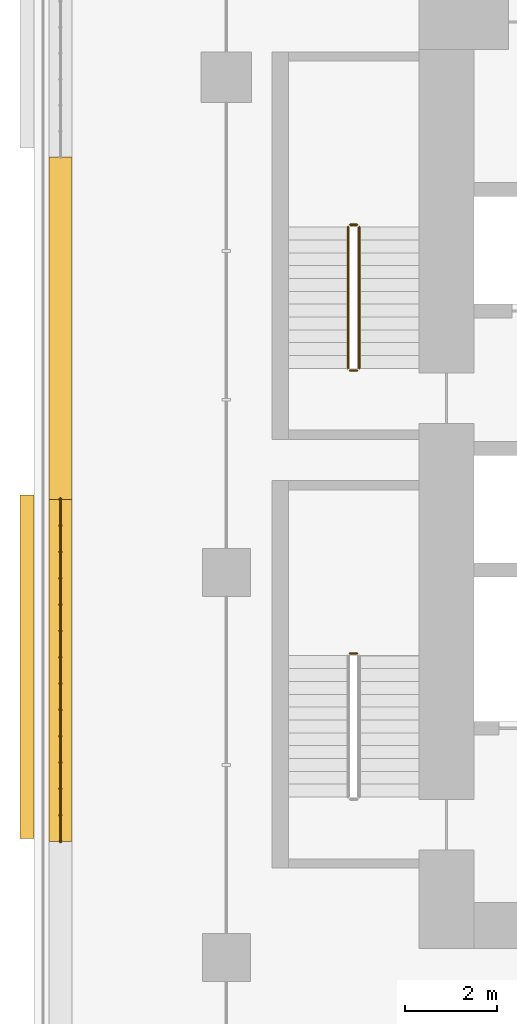
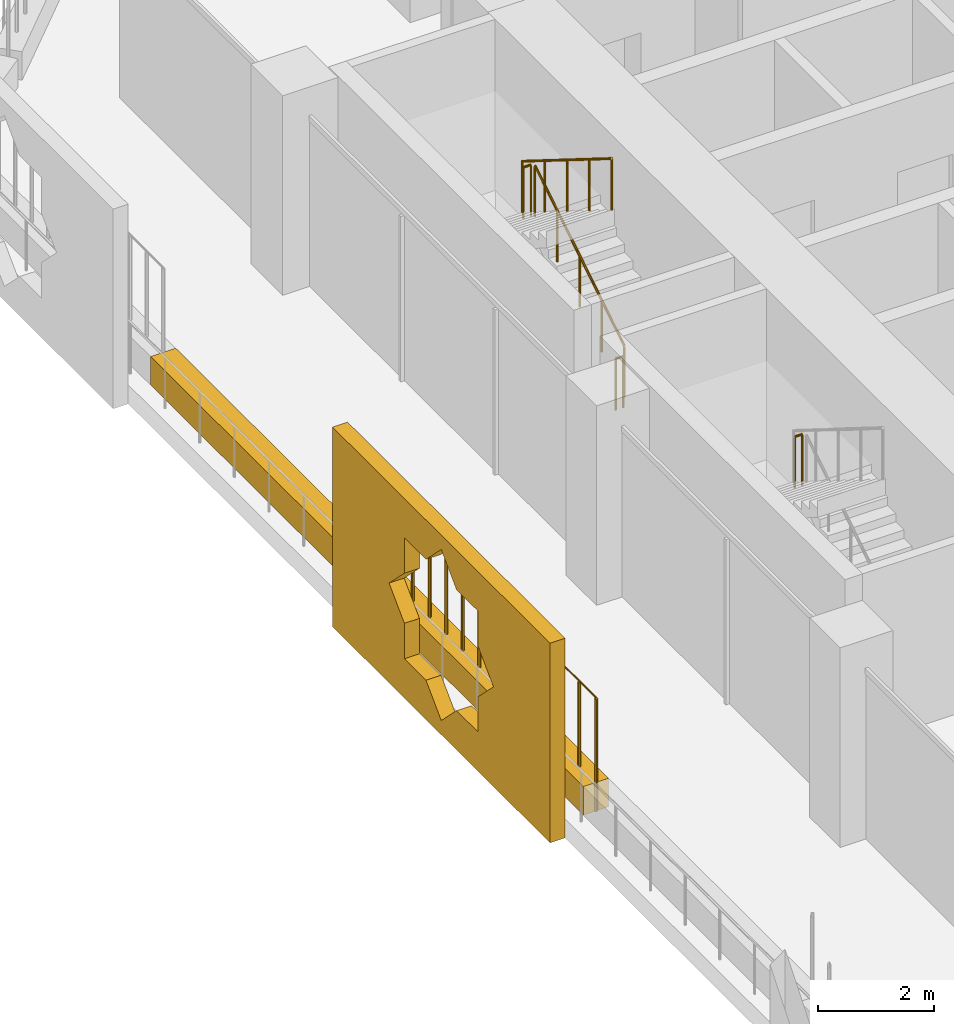
# One storey, part 22 of 27: 6 railings, 3 coverings.
"""IFC4 building model written with IfcOpenShell, lengths in metres."""

from ifc_helpers import new_model, si_unit, direction, frame, origin, origin_2d, place, context, subcontext, project, spatial, polyline, rectangle, circle, outline, extrude, material, material_profile, profile_set, type_object, element, save


model = new_model("IFC4")

# Units and contexts
model_context = context("Model", 3, precision=1e-05, world=origin(), true_north=direction((0.0, 1.0)))
body_context = subcontext(model_context, "Body", "Model", "MODEL_VIEW")
ifc_project = project(units=[si_unit("LENGTHUNIT", "METRE"), si_unit("AREAUNIT", "SQUARE_METRE"), si_unit("VOLUMEUNIT", "CUBIC_METRE"), si_unit("PLANEANGLEUNIT", "RADIAN"), si_unit("MASSUNIT", "GRAM", prefix="KILO")], contexts=[model_context])

# Site, building, storey
site_placement = place(None, origin())
site = spatial("IfcSite", under=ifc_project, at=site_placement, CompositionType="ELEMENT")
building_placement = place(site_placement, origin())
building = spatial("IfcBuilding", under=site, at=building_placement, Name="Kawkab Arch Medical Tower", CompositionType="ELEMENT")
storey_placement = place(building_placement, frame((0.0, 0.0, 103.0)))
storey = spatial("IfcBuildingStorey", under=building, at=storey_placement, Name="L23", CompositionType="ELEMENT", Elevation=103.0)

# Coverings
ifc_material_1 = material(Name="Bronze anodised aluminium mashrabiya panel, eight-point star pattern", Category="aluminium")
ifc_material_profile_1 = material_profile(ifc_material_1, outline(polyline([(-3.75, -2.10009765625), (3.75, -2.10009765625), (3.75, 2.10009765625), (-3.75, 2.10009765625), (-3.75, -2.10009765625)]), holes=[polyline([(1.800048828125, 0.0), (1.272705078125, 0.527099609375), (1.272705078125, 1.272705078125), (0.527099609375, 1.272705078125), (0.0, 1.800048828125), (-0.527099609375, 1.272705078125), (-1.272705078125, 1.272705078125), (-1.272705078125, 0.527099609375), (-1.800048828125, 0.0), (-1.272705078125, -0.527099609375), (-1.272705078125, -1.272705078125), (-0.527099609375, -1.272705078125), (0.0, -1.800048828125), (0.527099609375, -1.272705078125), (1.272705078125, -1.272705078125), (1.272705078125, -0.527099609375), (1.800048828125, 0.0)])]), Name="Mashrabiya panel 7500x4200")
ifc_profile_set_1 = profile_set([ifc_material_profile_1], Name="Bronze anodised aluminium mashrabiya panel, eight-point star pattern")
covering_type_1 = type_object("IfcCoveringType", Name="Mashrabiya panel 7500 x 4200", PredefinedType="USERDEFINED", material=ifc_profile_set_1)
covering_placement = place(storey_placement, frame((-4.199951171875, -18.8583984375, 1.699951171875), z_axis=(-1.0, 0.0, 0.0), x_axis=(0.0, -1.0, 0.0)))
element("IfcCovering", 1, at=covering_placement, inside=storey, type_object=covering_type_1, Name="Mashrabiya panel L23.LOG-01-02.4", ObjectType="SCREEN", PredefinedType="USERDEFINED", context=body_context, shape_type="SweptSolid", body=[
    extrude(outline(polyline([(-3.75, -2.10009765625), (3.75, -2.10009765625), (3.75, 2.10009765625), (-3.75, 2.10009765625), (-3.75, -2.10009765625)]), holes=[polyline([(1.800048828125, 0.0), (1.272705078125, 0.527099609375), (1.272705078125, 1.272705078125), (0.527099609375, 1.272705078125), (0.0, 1.800048828125), (-0.527099609375, 1.272705078125), (-1.272705078125, 1.272705078125), (-1.272705078125, 0.527099609375), (-1.800048828125, 0.0), (-1.272705078125, -0.527099609375), (-1.272705078125, -1.272705078125), (-0.527099609375, -1.272705078125), (0.0, -1.800048828125), (0.527099609375, -1.272705078125), (1.272705078125, -1.272705078125), (1.272705078125, -0.527099609375), (1.800048828125, 0.0)])]), origin(), (0.0, 0.0, 1.0), 0.300048828125),
])
ifc_material_2 = material(Name="Planting soil in a precast trough", Category="concrete")
ifc_material_profile_2 = material_profile(ifc_material_2, rectangle(XDim=0.5, YDim=0.60009765625, at=origin_2d()), Name="Trough 500x600")
ifc_profile_set_2 = profile_set([ifc_material_profile_2], Name="Planting soil in a precast trough")
covering_type_2 = type_object("IfcCoveringType", Name="Planter trough 500 x 600", PredefinedType="USERDEFINED", material=ifc_profile_set_2)
for number, where, z_axis, x_axis, name in (
    (2, (-3.6201171875, -22.6689453125, 0.300048828125), (0.0, 1.0, 0.0), (-1.0, 0.0, 0.0), "Planter L23.LOG-01-02.11"),
    (3, (-3.6201171875, -15.20703125, 0.300048828125), (0.0, 1.0, 0.0), (-1.0, 0.0, 0.0), "Planter L23.LOG-01-02.12"),
):
    element("IfcCovering", number, at=place(storey_placement, frame(where, z_axis=z_axis, x_axis=x_axis)), inside=storey, type_object=covering_type_2, Name=name, ObjectType="PLANTER", PredefinedType="USERDEFINED", context=body_context, shape_type="SweptSolid", body=[
        extrude(rectangle(XDim=0.5, YDim=0.60009765625, at=origin_2d()), origin(), (0.0, 0.0, 1.0), 7.4619140625),
    ])

# Railings
ifc_material_3 = material(Name="Bronze anodised aluminium trellis for climbing plants", Category="aluminium")
railing_type_1 = type_object("IfcRailingType", Name="Planting trellis 2400", PredefinedType="USERDEFINED", material=ifc_material_3)
railing_1_placement = place(storey_placement, frame((-3.6201171875, -22.6689453125, 0.0)))
element("IfcRailing", 4, at=railing_1_placement, inside=storey, type_object=railing_type_1, Name="Planting trellis L23.LOG-01-02.11", ObjectType="TRELLIS", PredefinedType="USERDEFINED", context=body_context, shape_type="SweptSolid", body=[
    extrude(circle(Radius=0.01513671875, at=origin_2d()), frame((0.0, 0.0, 2.384765625), z_axis=(0.0, 1.0, 0.0), x_axis=(-1.0, 0.0, 0.0)), (0.0, 0.0, 1.0), 7.4619140625),
    extrude(circle(Radius=0.030029296875, at=origin_2d()), origin(), (0.0, 0.0, 1.0), 2.369873046875),
    extrude(circle(Radius=0.030029296875, at=origin_2d()), frame((0.0, 0.573974609375, 0.0)), (0.0, 0.0, 1.0), 2.369873046875),
    extrude(circle(Radius=0.030029296875, at=origin_2d()), frame((0.0, 1.14794921875, 0.0)), (0.0, 0.0, 1.0), 2.369873046875),
    extrude(circle(Radius=0.030029296875, at=origin_2d()), frame((0.0, 1.721923828125, 0.0)), (0.0, 0.0, 1.0), 2.369873046875),
    extrude(circle(Radius=0.030029296875, at=origin_2d()), frame((0.0, 2.2958984375, 0.0)), (0.0, 0.0, 1.0), 2.369873046875),
    extrude(circle(Radius=0.030029296875, at=origin_2d()), frame((0.0, 2.869873046875, 0.0)), (0.0, 0.0, 1.0), 2.369873046875),
    extrude(circle(Radius=0.030029296875, at=origin_2d()), frame((0.0, 3.44384765625, 0.0)), (0.0, 0.0, 1.0), 2.369873046875),
    extrude(circle(Radius=0.030029296875, at=origin_2d()), frame((0.0, 4.01806640625, 0.0)), (0.0, 0.0, 1.0), 2.369873046875),
    extrude(circle(Radius=0.030029296875, at=origin_2d()), frame((0.0, 4.592041015625, 0.0)), (0.0, 0.0, 1.0), 2.369873046875),
    extrude(circle(Radius=0.030029296875, at=origin_2d()), frame((0.0, 5.166015625, 0.0)), (0.0, 0.0, 1.0), 2.369873046875),
    extrude(circle(Radius=0.030029296875, at=origin_2d()), frame((0.0, 5.739990234375, 0.0)), (0.0, 0.0, 1.0), 2.369873046875),
    extrude(circle(Radius=0.030029296875, at=origin_2d()), frame((0.0, 6.31396484375, 0.0)), (0.0, 0.0, 1.0), 2.369873046875),
    extrude(circle(Radius=0.030029296875, at=origin_2d()), frame((0.0, 6.887939453125, 0.0)), (0.0, 0.0, 1.0), 2.369873046875),
    extrude(circle(Radius=0.030029296875, at=origin_2d()), frame((0.0, 7.4619140625, 0.0)), (0.0, 0.0, 1.0), 2.369873046875),
])
ifc_material_4 = material(Name="Stainless steel", Category="steel")
railing_type_2 = type_object("IfcRailingType", Name="Stair guard 1100", PredefinedType="GUARDRAIL", material=ifc_material_4)
railing_2_placement = place(storey_placement, frame((2.89990234375, -12.35009765625, 0.175048828125)))
element("IfcRailing", 5, at=railing_2_placement, inside=storey, type_object=railing_type_2, Name="L23 ST1 stair guard 1", PredefinedType="GUARDRAIL", context=body_context, shape_type="SweptSolid", body=[
    extrude(circle(Radius=0.02392578125, at=origin_2d()), frame((0.0, 0.0, 1.076171875), z_axis=(0.0, 0.847998304005, 0.529998940003), x_axis=(-1.0, 0.0, 0.0)), (0.0, 0.0, 1.0), 3.632080078125),
    extrude(circle(Radius=0.02099609375, at=origin_2d()), origin(), (0.0, 0.0, 1.0), 1.052001953125),
    extrude(circle(Radius=0.02099609375, at=origin_2d()), frame((0.0, 0.77001953125, 0.481201171875)), (0.0, 0.0, 1.0), 1.052001953125),
    extrude(circle(Radius=0.02099609375, at=origin_2d()), frame((0.0, 1.5400390625, 0.96240234375)), (0.0, 0.0, 1.0), 1.052001953125),
    extrude(circle(Radius=0.02099609375, at=origin_2d()), frame((0.0, 2.31005859375, 1.44384765625)), (0.0, 0.0, 1.0), 1.052001953125),
    extrude(circle(Radius=0.02099609375, at=origin_2d()), frame((0.0, 3.080078125, 1.925048828125)), (0.0, 0.0, 1.0), 1.052001953125),
])
railing_3_placement = place(storey_placement, frame((2.85009765625, -9.219970703125, 2.10009765625)))
element("IfcRailing", 6, at=railing_3_placement, inside=storey, type_object=railing_type_2, Name="L23 ST1 stair guard 2", PredefinedType="GUARDRAIL", context=body_context, shape_type="SweptSolid", body=[
    extrude(circle(Radius=0.02392578125, at=origin_2d()), frame((0.0, 0.0, 1.076171875), z_axis=(-1.0, 0.0, 0.0), x_axis=(0.0, -1.0, 0.0)), (0.0, 0.0, 1.0), 0.150146484375),
    extrude(circle(Radius=0.02099609375, at=origin_2d()), origin(), (0.0, 0.0, 1.0), 1.052001953125),
    extrude(circle(Radius=0.02099609375, at=origin_2d()), frame((-0.150146484375, 0.0, 0.0)), (0.0, 0.0, 1.0), 1.052001953125),
])
railing_4_placement = place(storey_placement, frame((2.64990234375, -9.27001953125, 2.27490234375)))
element("IfcRailing", 7, at=railing_4_placement, inside=storey, type_object=railing_type_2, Name="L23 ST1 stair guard 3", PredefinedType="GUARDRAIL", context=body_context, shape_type="SweptSolid", body=[
    extrude(circle(Radius=0.02392578125, at=origin_2d()), frame((0.0, 0.0, 1.076171875), z_axis=(0.0, -0.847998304005, 0.529998940003), x_axis=(1.0, 0.0, 0.0)), (0.0, 0.0, 1.0), 3.632080078125),
    extrude(circle(Radius=0.02099609375, at=origin_2d()), origin(), (0.0, 0.0, 1.0), 1.052001953125),
    extrude(circle(Radius=0.02099609375, at=origin_2d()), frame((0.0, -0.77001953125, 0.481201171875)), (0.0, 0.0, 1.0), 1.052001953125),
    extrude(circle(Radius=0.02099609375, at=origin_2d()), frame((0.0, -1.5400390625, 0.96240234375)), (0.0, 0.0, 1.0), 1.052001953125),
    extrude(circle(Radius=0.02099609375, at=origin_2d()), frame((0.0, -2.31005859375, 1.44384765625)), (0.0, 0.0, 1.0), 1.052001953125),
    extrude(circle(Radius=0.02099609375, at=origin_2d()), frame((0.0, -3.080078125, 1.925048828125)), (0.0, 0.0, 1.0), 1.052001953125),
])
for number, where, name in (
    (8, (2.85009765625, -12.39990234375, 0.0), "L23 ST1 stair guard 4"),
    (9, (2.85009765625, -18.570068359375, 2.10009765625), "L23 ST2 stair guard 2"),
):
    element("IfcRailing", number, at=place(storey_placement, frame(where)), inside=storey, type_object=railing_type_2, Name=name, PredefinedType="GUARDRAIL", context=body_context, shape_type="SweptSolid", body=[
        extrude(circle(Radius=0.02392578125, at=origin_2d()), frame((0.0, 0.0, 1.076171875), z_axis=(-1.0, 0.0, 0.0), x_axis=(0.0, -1.0, 0.0)), (0.0, 0.0, 1.0), 0.150146484375),
        extrude(circle(Radius=0.02099609375, at=origin_2d()), origin(), (0.0, 0.0, 1.0), 1.052001953125),
        extrude(circle(Radius=0.02099609375, at=origin_2d()), frame((-0.150146484375, 0.0, 0.0)), (0.0, 0.0, 1.0), 1.052001953125),
    ])

save(model, "model.ifc")
